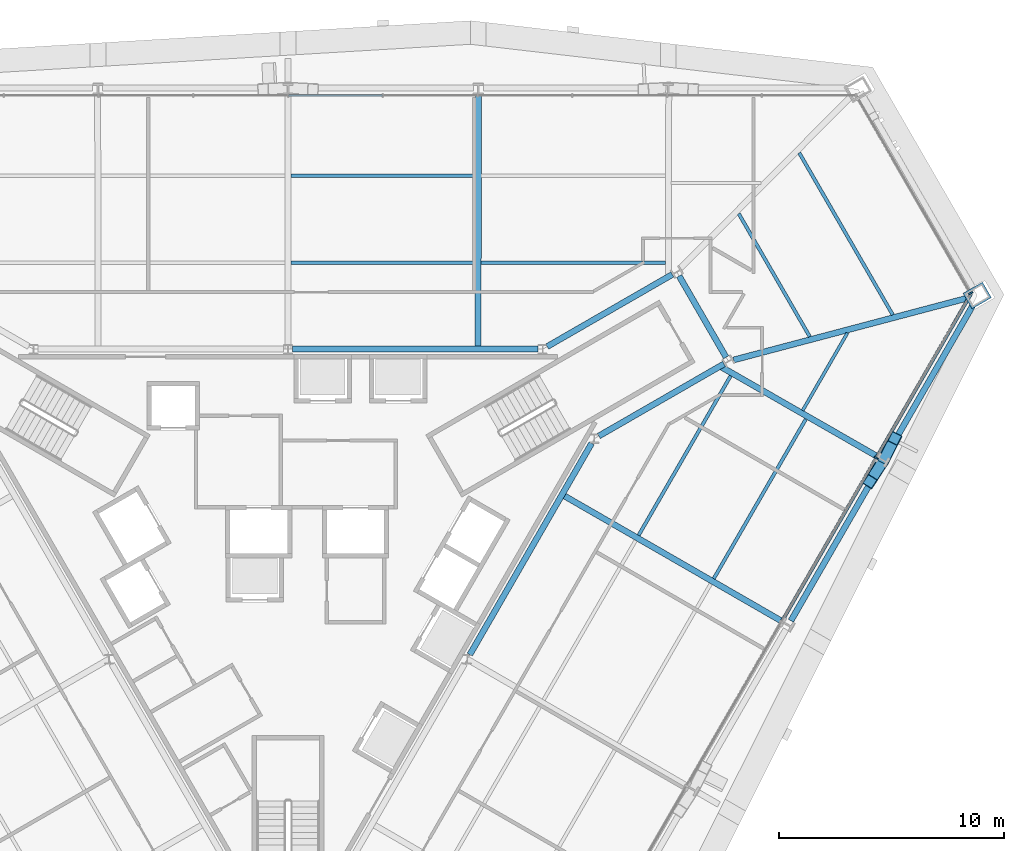
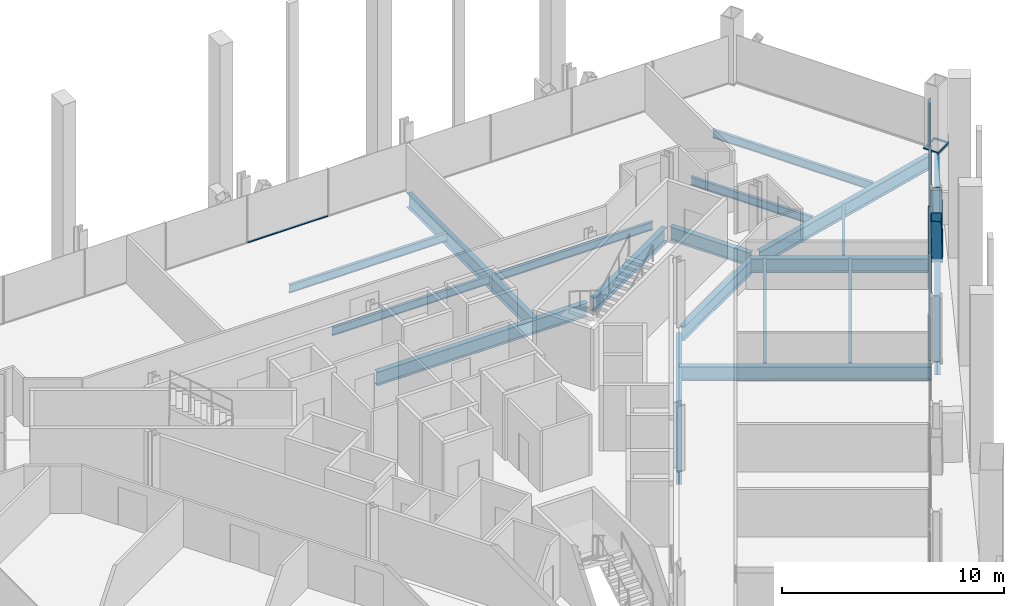
# One storey, part 7 of 16: 19 beams, 8 members, 3 elements without a shape of their own.
"""IFC4 building model written with IfcOpenShell, lengths in metres."""

from ifc_helpers import new_model, si_unit, direction, frame, origin, origin_2d, place, context, subcontext, project, spatial, rectangle, hollow_rectangle, i_section, extrude, material, material_profile, profile_set, type_object, element, aggregate, save


model = new_model("IFC4")

# Units and contexts
model_context = context("Model", 3, precision=1e-05, world=origin(), true_north=direction((0.0, 1.0)))
body_context = subcontext(model_context, "Body", "Model", "MODEL_VIEW")
ifc_project = project(units=[si_unit("LENGTHUNIT", "METRE"), si_unit("AREAUNIT", "SQUARE_METRE"), si_unit("VOLUMEUNIT", "CUBIC_METRE"), si_unit("PLANEANGLEUNIT", "RADIAN"), si_unit("MASSUNIT", "GRAM", prefix="KILO")], contexts=[model_context])

# Site, building, storey
site_placement = place(None, origin())
site = spatial("IfcSite", under=ifc_project, at=site_placement, CompositionType="ELEMENT")
building_placement = place(site_placement, origin())
building = spatial("IfcBuilding", under=site, at=building_placement, Name="Verrane Prism Tower", CompositionType="ELEMENT")
storey_placement = place(building_placement, frame((0.0, 0.0, 36.800048828125)))
storey = spatial("IfcBuildingStorey", under=building, at=storey_placement, Name="L06", CompositionType="ELEMENT", Elevation=36.800048828125)

# Beams
ifc_material_1 = material(Name="Steel A992", Category="steel")
ifc_material_profile_1 = material_profile(ifc_material_1, i_section(OverallWidth=0.2666015625, OverallDepth=0.7568359375, WebThickness=0.013916015625, FlangeThickness=0.019287109375, FilletRadius=0.0166015625, at=origin_2d()), Name="W30x108")
ifc_profile_set_1 = profile_set([ifc_material_profile_1], Name="Steel A992")
beam_type_1 = type_object("IfcBeamType", Name="Core ring girder W30x108", PredefinedType="BEAM", material=ifc_profile_set_1)
beam_1_placement = place(storey_placement, frame((13.833251953125, 5.337158203125, -0.628662109375), z_axis=(0.86646365882, 0.499240150574, 0.0), x_axis=(-0.499240150574, 0.86646365882, 0.0)))
element("IfcBeam", 1, at=beam_1_placement, inside=storey, type_object=beam_type_1, Name="Core ring girder L06", PredefinedType="BEAM", context=body_context, shape_type="SweptSolid", body=[
    extrude(i_section(OverallWidth=0.2666015625, OverallDepth=0.7568359375, WebThickness=0.013916015625, FlangeThickness=0.019287109375, FilletRadius=0.0166015625, at=origin_2d()), origin(), (0.0, 0.0, 1.0), 6.42822265625),
])
beam_2_placement = place(storey_placement, frame((19.4951171875, 8.84130859375, -0.628662109375), z_axis=(-0.500349643494, 0.865823442888, 0.0), x_axis=(-0.865823442888, -0.500349643494, 0.0)))
element("IfcBeam", 2, at=beam_2_placement, inside=storey, type_object=beam_type_1, Name="Core ring girder L06", PredefinedType="BEAM", context=body_context, shape_type="SweptSolid", body=[
    extrude(i_section(OverallWidth=0.2666015625, OverallDepth=0.7568359375, WebThickness=0.013916015625, FlangeThickness=0.019287109375, FilletRadius=0.0166015625, at=origin_2d()), origin(), (0.0, 0.0, 1.0), 4.177734375),
])
beam_3_placement = place(storey_placement, frame((17.10302734375, 12.526611328125, -0.628662109375), z_axis=(-0.866447229751, -0.499268663203, 0.0), x_axis=(0.499268663203, -0.866447229751, 0.0)))
element("IfcBeam", 3, at=beam_3_placement, inside=storey, type_object=beam_type_1, Name="Core ring girder L06", PredefinedType="BEAM", context=body_context, shape_type="SweptSolid", body=[
    extrude(i_section(OverallWidth=0.2666015625, OverallDepth=0.7568359375, WebThickness=0.013916015625, FlangeThickness=0.019287109375, FilletRadius=0.0166015625, at=origin_2d()), origin(), (0.0, 0.0, 1.0), 6.428466796875),
])
beam_4_placement = place(storey_placement, frame((11.126708984375, 9.199951171875, -0.628662109375), z_axis=(-1.0, 0.0, 0.0), x_axis=(0.0, -1.0, 0.0)))
element("IfcBeam", 4, at=beam_4_placement, inside=storey, type_object=beam_type_1, Name="Core ring girder L06", PredefinedType="BEAM", context=body_context, shape_type="SweptSolid", body=[
    extrude(i_section(OverallWidth=0.2666015625, OverallDepth=0.7568359375, WebThickness=0.013916015625, FlangeThickness=0.019287109375, FilletRadius=0.0166015625, at=origin_2d()), origin(), (0.0, 0.0, 1.0), 10.923583984375),
])
beam_5_placement = place(storey_placement, frame((8.090087890625, -4.3916015625, -0.628662109375), z_axis=(0.499371892062, 0.866387738498, 0.0), x_axis=(-0.866387738498, 0.499371892062, 0.0)))
element("IfcBeam", 5, at=beam_5_placement, inside=storey, type_object=beam_type_1, Name="Core ring girder L06", PredefinedType="BEAM", context=body_context, shape_type="SweptSolid", body=[
    extrude(i_section(OverallWidth=0.2666015625, OverallDepth=0.7568359375, WebThickness=0.013916015625, FlangeThickness=0.019287109375, FilletRadius=0.0166015625, at=origin_2d()), origin(), (0.0, 0.0, 1.0), 10.853515625),
])
ifc_material_2 = material(Name="Steel A992", Category="steel")
ifc_material_profile_2 = material_profile(ifc_material_2, i_section(OverallWidth=0.2666015625, OverallDepth=0.76708984375, WebThickness=0.014892578125, FlangeThickness=0.023681640625, FilletRadius=0.0166015625, at=origin_2d()), Name="W30x124")
ifc_profile_set_2 = profile_set([ifc_material_profile_2], Name="Steel A992")
beam_type_2 = type_object("IfcBeamType", Name="Corner girder W30x124", PredefinedType="BEAM", material=ifc_profile_set_2)
beam_6_placement = place(storey_placement, frame((30.21923828125, 11.470703125, -0.603515625), z_axis=(-0.966710515477, -0.255872584047, 0.0), x_axis=(0.255872584047, -0.966710515477, 0.0)))
element("IfcBeam", 6, at=beam_6_placement, inside=storey, type_object=beam_type_2, Name="Corner girder L06", PredefinedType="BEAM", context=body_context, shape_type="SweptSolid", body=[
    extrude(i_section(OverallWidth=0.2666015625, OverallDepth=0.76708984375, WebThickness=0.014892578125, FlangeThickness=0.023681640625, FilletRadius=0.0166015625, at=origin_2d()), origin(), (0.0, 0.0, 1.0), 10.74951171875),
])

# Members
ifc_material_3 = material(Name="Steel A1085 Grade A", Category="steel")
ifc_material_profile_3 = material_profile(ifc_material_3, hollow_rectangle(XDim=0.508056640625, YDim=0.508056640625, WallThickness=0.025390625, InnerFilletRadius=0.0126953125, OuterFilletRadius=0.0380859375, at=origin_2d()), Name="HSS20x20x1")
ifc_profile_set_3 = profile_set([ifc_material_profile_3], Name="Steel A1085 Grade A")
member_type_1 = type_object("IfcMemberType", Name="Facade brace HSS20x20x1", PredefinedType="BRACE", material=ifc_profile_set_3)
member_1_placement = place(storey_placement, frame((26.447509765625, 4.163818359375, -0.19775390625), z_axis=(-0.175899143488, -0.272382590381, 0.945974215176), x_axis=(0.840059916394, -0.542493628412, 0.0)))
element("IfcMember", 7, at=member_1_placement, inside=storey, type_object=member_type_1, Name="Facade brace SE4 L06", PredefinedType="BRACE", context=body_context, shape_type="SweptSolid", body=[
    extrude(hollow_rectangle(XDim=0.508056640625, YDim=0.508056640625, WallThickness=0.025390625, InnerFilletRadius=0.0126953125, OuterFilletRadius=0.0380859375, at=origin_2d()), origin(), (0.0, 0.0, 1.0), 3.132568359375),
])
member_2_placement = place(storey_placement, frame((26.56201171875, 4.362060546875, -0.19775390625), z_axis=(0.141798489589, 0.278666899243, 0.94986206768), x_axis=(-0.891251410074, 0.45350956334, 0.0)))
element("IfcMember", 8, at=member_2_placement, inside=storey, type_object=member_type_1, Name="Facade brace SE5 L06", PredefinedType="BRACE", context=body_context, shape_type="SweptSolid", body=[
    extrude(hollow_rectangle(XDim=0.508056640625, YDim=0.508056640625, WallThickness=0.025390625, InnerFilletRadius=0.0126953125, OuterFilletRadius=0.0380859375, at=origin_2d()), origin(), (0.0, 0.0, 1.0), 3.119873046875),
])

# Beams
ifc_material_4 = material(Name="Steel A992", Category="steel")
ifc_material_profile_4 = material_profile(ifc_material_4, i_section(OverallWidth=0.140380859375, OverallDepth=0.40380859375, WebThickness=0.007080078125, FlangeThickness=0.01123046875, FilletRadius=0.01025390625, at=origin_2d()), Name="W16x31")
ifc_profile_set_4 = profile_set([ifc_material_profile_4], Name="Steel A992")
beam_type_3 = type_object("IfcBeamType", Name="Floor beam W16x31", PredefinedType="BEAM", material=ifc_profile_set_4)
beam_7_placement = place(storey_placement, frame((22.90185546875, 6.470703125, -0.362060546875), z_axis=(0.500005166599, 0.866022420826, 0.0), x_axis=(-0.866022420826, 0.500005166599, 0.0)))
element("IfcBeam", 9, at=beam_7_placement, inside=storey, type_object=beam_type_3, Name="Floor beam L06", PredefinedType="BEAM", context=body_context, shape_type="SweptSolid", body=[
    extrude(i_section(OverallWidth=0.140380859375, OverallDepth=0.40380859375, WebThickness=0.007080078125, FlangeThickness=0.01123046875, FilletRadius=0.01025390625, at=origin_2d()), origin(), (0.0, 0.0, 1.0), 3.98681640625),
])
ifc_material_5 = material(Name="Steel A992", Category="steel")
ifc_material_profile_5 = material_profile(ifc_material_5, i_section(OverallWidth=0.15234375, OverallDepth=0.449462890625, WebThickness=0.007568359375, FlangeThickness=0.0107421875, FilletRadius=0.01025390625, at=origin_2d()), Name="W18x35")
ifc_profile_set_5 = profile_set([ifc_material_profile_5], Name="Steel A992")
beam_type_4 = type_object("IfcBeamType", Name="Floor beam W18x35", PredefinedType="BEAM", material=ifc_profile_set_5)
beam_8_placement = place(storey_placement, frame((8.593505859375, 13.056640625, -0.384765625), z_axis=(1.0, 0.0, 0.0), x_axis=(0.0, 1.0, 0.0)))
element("IfcBeam", 10, at=beam_8_placement, inside=storey, type_object=beam_type_4, Name="Floor beam L06", PredefinedType="BEAM", context=body_context, shape_type="SweptSolid", body=[
    extrude(i_section(OverallWidth=0.15234375, OverallDepth=0.449462890625, WebThickness=0.007568359375, FlangeThickness=0.0107421875, FilletRadius=0.01025390625, at=origin_2d()), origin(), (0.0, 0.0, 1.0), 8.193115234375),
])
for number, where, z_axis, x_axis, name in (
    (11, (0.133544921875, 13.056640625, -0.384765625), (1.0, 0.0, 0.0), (0.0, 1.0, 0.0), "Floor beam L06"),
    (12, (0.133544921875, 16.913330078125, -0.384765625), (1.0, 0.0, 0.0), (0.0, 1.0, 0.0), "Floor beam L06"),
):
    element("IfcBeam", number, at=place(storey_placement, frame(where, z_axis=z_axis, x_axis=x_axis)), inside=storey, type_object=beam_type_4, Name=name, PredefinedType="BEAM", context=body_context, shape_type="SweptSolid", body=[
        extrude(i_section(OverallWidth=0.15234375, OverallDepth=0.449462890625, WebThickness=0.007568359375, FlangeThickness=0.0107421875, FilletRadius=0.01025390625, at=origin_2d()), origin(), (0.0, 0.0, 1.0), 8.19287109375),
    ])
beam_9_placement = place(storey_placement, frame((18.943359375, -1.014404296875, -0.384765625), z_axis=(0.500013012896, 0.866017890655, 0.0), x_axis=(-0.866017890655, 0.500013012896, 0.0)))
element("IfcBeam", 13, at=beam_9_placement, inside=storey, type_object=beam_type_4, Name="Floor beam L06", PredefinedType="BEAM", context=body_context, shape_type="SweptSolid", body=[
    extrude(i_section(OverallWidth=0.15234375, OverallDepth=0.449462890625, WebThickness=0.007568359375, FlangeThickness=0.0107421875, FilletRadius=0.01025390625, at=origin_2d()), origin(), (0.0, 0.0, 1.0), 8.194580078125),
])
beam_10_placement = place(storey_placement, frame((15.60009765625, 0.91552734375, -0.384765625), z_axis=(0.49998813555, 0.86603225362, 0.0), x_axis=(-0.86603225362, 0.49998813555, 0.0)))
element("IfcBeam", 14, at=beam_10_placement, inside=storey, type_object=beam_type_4, Name="Floor beam L06", PredefinedType="BEAM", context=body_context, shape_type="SweptSolid", body=[
    extrude(i_section(OverallWidth=0.15234375, OverallDepth=0.449462890625, WebThickness=0.007568359375, FlangeThickness=0.0107421875, FilletRadius=0.01025390625, at=origin_2d()), origin(), (0.0, 0.0, 1.0), 8.193115234375),
])
beam_11_placement = place(storey_placement, frame((26.910400390625, 10.73291015625, -0.384765625), z_axis=(-0.500000939553, 0.866024861332, 0.0), x_axis=(-0.866024861332, -0.500000939553, 0.0)))
element("IfcBeam", 15, at=beam_11_placement, inside=storey, type_object=beam_type_4, Name="Floor beam L06", PredefinedType="BEAM", context=body_context, shape_type="SweptSolid", body=[
    extrude(i_section(OverallWidth=0.15234375, OverallDepth=0.449462890625, WebThickness=0.007568359375, FlangeThickness=0.0107421875, FilletRadius=0.01025390625, at=origin_2d()), origin(), (0.0, 0.0, 1.0), 8.322265625),
])
beam_12_placement = place(storey_placement, frame((23.219482421875, 9.756103515625, -0.384765625), z_axis=(-0.499989926711, 0.866031219522, 0.0), x_axis=(-0.866031219522, -0.499989926711, 0.0)))
element("IfcBeam", 16, at=beam_12_placement, inside=storey, type_object=beam_type_4, Name="Floor beam L06", PredefinedType="BEAM", context=body_context, shape_type="SweptSolid", body=[
    extrude(i_section(OverallWidth=0.15234375, OverallDepth=0.449462890625, WebThickness=0.007568359375, FlangeThickness=0.0107421875, FilletRadius=0.01025390625, at=origin_2d()), origin(), (0.0, 0.0, 1.0), 6.321044921875),
])

# Member
ifc_material_6 = material(Name="Steel A572 Grade 50", Category="steel")
ifc_material_profile_6 = material_profile(ifc_material_6, hollow_rectangle(XDim=0.800048828125, YDim=1.0, WallThickness=0.074951171875, at=origin_2d()), Name="BOX 1000x800x75")
ifc_profile_set_6 = profile_set([ifc_material_profile_6], Name="Steel A572 Grade 50")
member_type_2 = type_object("IfcMemberType", Name="Kink node BOX 1000x800x75", PredefinedType="COLLAR", material=ifc_profile_set_6)
member_3_placement = place(storey_placement, frame((30.67236328125, 11.59033203125, -0.045166015625), z_axis=(0.0, 0.0, 1.0), x_axis=(0.5, -0.866025403784, 0.0)))
element("IfcMember", 17, at=member_3_placement, inside=storey, type_object=member_type_2, Name="Kink node MC2 L06", PredefinedType="COLLAR", context=body_context, shape_type="SweptSolid", body=[
    extrude(hollow_rectangle(XDim=0.800048828125, YDim=1.0, WallThickness=0.074951171875, at=origin_2d()), origin(), (0.0, 0.0, 1.0), 0.090087890625),
])

# Curtain wall, member
ifc_material_7 = material(Name="Aluminium framed insulated glazing", Category="aluminium")
curtain_wall_type_1 = type_object("IfcCurtainWallType", Name="Curtain wall CW-A 8400 module", PredefinedType="NOTDEFINED", material=ifc_material_7)
curtain_wall_1_placement = place(storey_placement, origin())
curtain_wall_1 = element("IfcCurtainWall", 18, at=curtain_wall_1_placement, inside=storey, type_object=curtain_wall_type_1, Name="Glazed curtain wall north-east corner L06", PredefinedType="NOTDEFINED")
ifc_material_8 = material(Name="Aluminium alloy 6063-T6", Category="aluminium")
ifc_material_profile_7 = material_profile(ifc_material_8, rectangle(XDim=0.199951171875, YDim=0.070068359375, at=origin_2d()), Name="Mullion 70x200 aluminium")
ifc_profile_set_7 = profile_set([ifc_material_profile_7], Name="Aluminium alloy 6063-T6")
member_type_3 = type_object("IfcMemberType", Name="Mullion 70x200 aluminium", PredefinedType="MULLION", material=ifc_profile_set_7)
member_4_placement = place(storey_placement, frame((30.37890625, 11.696533203125, 0.0), z_axis=(0.0, 0.0, 1.0), x_axis=(-0.866027227665, -0.499996840933, 0.0)))
member_4 = element("IfcMember", 19, at=member_4_placement, type_object=member_type_3, Name="CW06.1 mullion 1", PredefinedType="MULLION", context=body_context, shape_type="SweptSolid", body=[
    extrude(rectangle(XDim=0.199951171875, YDim=0.070068359375, at=origin_2d()), origin(), (0.0, 0.0, 1.0), 2.61279296875),
])
aggregate(curtain_wall_1, [member_4])

curtain_wall_2_placement = place(storey_placement, origin())
curtain_wall_2 = element("IfcCurtainWall", 20, at=curtain_wall_2_placement, inside=storey, type_object=curtain_wall_type_1, Name="Glazed curtain wall south-east face L06", PredefinedType="NOTDEFINED")
member_5_placement = place(storey_placement, frame((26.1796875, 4.3623046875, 0.0), z_axis=(0.0, 0.0, 1.0), x_axis=(-0.866025123598, 0.500000485297, 0.0)))
member_5 = element("IfcMember", 21, at=member_5_placement, type_object=member_type_3, Name="CW06.6 mullion 6", PredefinedType="MULLION", context=body_context, shape_type="SweptSolid", body=[
    extrude(rectangle(XDim=0.199951171875, YDim=0.070068359375, at=origin_2d()), origin(), (0.0, 0.0, 1.0), 2.61279296875),
])

# Beams
ifc_material_9 = material(Name="Steel A992", Category="steel")
ifc_material_profile_8 = material_profile(ifc_material_9, i_section(OverallWidth=0.2666015625, OverallDepth=0.76708984375, WebThickness=0.014892578125, FlangeThickness=0.023681640625, FilletRadius=0.0166015625, at=origin_2d()), Name="W30x124")
ifc_profile_set_8 = profile_set([ifc_material_profile_8], Name="Steel A992")
beam_type_5 = type_object("IfcBeamType", Name="Radial girder W30x124", PredefinedType="BEAM", material=ifc_profile_set_8)
beam_13_placement = place(storey_placement, frame((8.472412109375, 20.555419921875, -0.603515625), z_axis=(-0.001096490569, -0.999999398854, 0.0), x_axis=(0.999999398854, -0.001096490569, 0.0)))
element("IfcBeam", 22, at=beam_13_placement, inside=storey, type_object=beam_type_5, Name="Radial girder L06", PredefinedType="BEAM", context=body_context, shape_type="SweptSolid", body=[
    extrude(i_section(OverallWidth=0.2666015625, OverallDepth=0.76708984375, WebThickness=0.014892578125, FlangeThickness=0.023681640625, FilletRadius=0.0166015625, at=origin_2d()), origin(), (0.0, 0.0, 1.0), 11.35546875),
])
beam_14_placement = place(storey_placement, frame((22.03955078125, -2.942626953125, -0.603515625), z_axis=(-0.866525583881, 0.499132660202, 0.0), x_axis=(-0.499132660202, -0.866525583881, 0.0)))
element("IfcBeam", 23, at=beam_14_placement, inside=storey, type_object=beam_type_5, Name="Radial girder L06", PredefinedType="BEAM", context=body_context, shape_type="SweptSolid", body=[
    extrude(i_section(OverallWidth=0.2666015625, OverallDepth=0.76708984375, WebThickness=0.014892578125, FlangeThickness=0.023681640625, FilletRadius=0.0166015625, at=origin_2d()), origin(), (0.0, 0.0, 1.0), 11.362060546875),
])
beam_15_placement = place(storey_placement, frame((26.275634765625, 4.39697265625, -0.603515625), z_axis=(-0.867419672112, 0.497577242681, 0.0), x_axis=(-0.497577242681, -0.867419672112, 0.0)))
element("IfcBeam", 24, at=beam_15_placement, inside=storey, type_object=beam_type_5, Name="Radial girder L06", PredefinedType="BEAM", context=body_context, shape_type="SweptSolid", body=[
    extrude(i_section(OverallWidth=0.2666015625, OverallDepth=0.76708984375, WebThickness=0.014892578125, FlangeThickness=0.023681640625, FilletRadius=0.0166015625, at=origin_2d()), origin(), (0.0, 0.0, 1.0), 8.130615234375),
])
ifc_material_10 = material(Name="Steel A992", Category="steel")
ifc_material_profile_9 = material_profile(ifc_material_10, i_section(OverallWidth=0.2666015625, OverallDepth=0.7568359375, WebThickness=0.013916015625, FlangeThickness=0.019287109375, FilletRadius=0.0166015625, at=origin_2d()), Name="W30x108")
ifc_profile_set_9 = profile_set([ifc_material_profile_9], Name="Steel A992")
beam_type_6 = type_object("IfcBeamType", Name="Spandrel beam W30x108", PredefinedType="SPANDREL", material=ifc_profile_set_9)
beam_16_placement = place(storey_placement, frame((22.3798828125, -2.8837890625, -0.53857421875), z_axis=(0.499891709547, 0.86608791628, 0.0), x_axis=(-0.86608791628, 0.499891709547, 0.0)))
element("IfcBeam", 25, at=beam_16_placement, inside=storey, type_object=beam_type_6, Name="Spandrel beam L06", PredefinedType="SPANDREL", context=body_context, shape_type="SweptSolid", body=[
    extrude(i_section(OverallWidth=0.2666015625, OverallDepth=0.7568359375, WebThickness=0.013916015625, FlangeThickness=0.019287109375, FilletRadius=0.0166015625, at=origin_2d()), origin(), (0.0, 0.0, 1.0), 8.032958984375),
])
beam_17_placement = place(storey_placement, frame((26.616455078125, 4.456298828125, -0.53857421875), z_axis=(0.499526290691, 0.866298727292, 0.0), x_axis=(-0.866298727292, 0.499526290691, 0.0)))
element("IfcBeam", 26, at=beam_17_placement, inside=storey, type_object=beam_type_6, Name="Spandrel beam L06", PredefinedType="SPANDREL", context=body_context, shape_type="SweptSolid", body=[
    extrude(i_section(OverallWidth=0.2666015625, OverallDepth=0.7568359375, WebThickness=0.013916015625, FlangeThickness=0.019287109375, FilletRadius=0.0166015625, at=origin_2d()), origin(), (0.0, 0.0, 1.0), 7.72216796875),
])

# Curtain wall, member
ifc_material_11 = material(Name="Aluminium framed insulated glazing", Category="aluminium")
curtain_wall_type_2 = type_object("IfcCurtainWallType", Name="Curtain wall CW-C 4200 module", PredefinedType="NOTDEFINED", material=ifc_material_11)
curtain_wall_3_placement = place(storey_placement, origin())
curtain_wall_3 = element("IfcCurtainWall", 27, at=curtain_wall_3_placement, inside=storey, type_object=curtain_wall_type_2, Name="Glazed curtain wall north face L06", PredefinedType="NOTDEFINED")
ifc_material_12 = material(Name="Aluminium alloy 6063-T6", Category="aluminium")
ifc_material_profile_10 = material_profile(ifc_material_12, rectangle(XDim=0.10009765625, YDim=0.050048828125, at=origin_2d()), Name="Transom 50x100 aluminium")
ifc_profile_set_10 = profile_set([ifc_material_profile_10], Name="Aluminium alloy 6063-T6")
member_type_4 = type_object("IfcMemberType", Name="Transom 50x100 aluminium", PredefinedType="USERDEFINED", material=ifc_profile_set_10)
member_6_placement = place(storey_placement, frame((4.19189453125, 20.490966796875, 0.02490234375), z_axis=(-1.0, 0.0, 0.0), x_axis=(0.0, -1.0, 0.0)))
member_6 = element("IfcMember", 28, at=member_6_placement, type_object=member_type_4, Name="CW06.2 transom 6", ObjectType="TRANSOM", PredefinedType="USERDEFINED", context=body_context, shape_type="SweptSolid", body=[
    extrude(rectangle(XDim=0.10009765625, YDim=0.050048828125, at=origin_2d()), origin(), (0.0, 0.0, 1.0), 4.1669921875),
])
aggregate(curtain_wall_3, [member_6])

# Member
ifc_material_13 = material(Name="Aluminium alloy 6063-T6", Category="aluminium")
ifc_material_profile_11 = material_profile(ifc_material_13, rectangle(XDim=0.14990234375, YDim=0.070068359375, at=origin_2d()), Name="Transom 70x150 aluminium")
ifc_profile_set_11 = profile_set([ifc_material_profile_11], Name="Aluminium alloy 6063-T6")
member_type_5 = type_object("IfcMemberType", Name="Transom 70x150 aluminium", PredefinedType="USERDEFINED", material=ifc_profile_set_11)
member_7_placement = place(storey_placement, frame((21.980224609375, -2.911376953125, 0.034912109375), z_axis=(0.499991130599, 0.866030524475, 0.0), x_axis=(-0.866030524475, 0.499991130599, 0.0)))
member_7 = element("IfcMember", 29, at=member_7_placement, type_object=member_type_5, Name="CW06.6 transom 5", ObjectType="TRANSOM", PredefinedType="USERDEFINED", context=body_context, shape_type="SweptSolid", body=[
    extrude(rectangle(XDim=0.14990234375, YDim=0.070068359375, at=origin_2d()), origin(), (0.0, 0.0, 1.0), 8.364013671875),
])

member_8_placement = place(storey_placement, frame((26.197021484375, 4.392578125, 0.034912109375), z_axis=(0.500000074778, 0.866025360611, 0.0), x_axis=(-0.866025360611, 0.500000074778, 0.0)))
member_8 = element("IfcMember", 30, at=member_8_placement, type_object=member_type_5, Name="CW06.6 transom 6", ObjectType="TRANSOM", PredefinedType="USERDEFINED", context=body_context, shape_type="SweptSolid", body=[
    extrude(rectangle(XDim=0.14990234375, YDim=0.070068359375, at=origin_2d()), origin(), (0.0, 0.0, 1.0), 8.39892578125),
])

aggregate(curtain_wall_2, [member_5, member_7, member_8])

save(model, "model.ifc")
